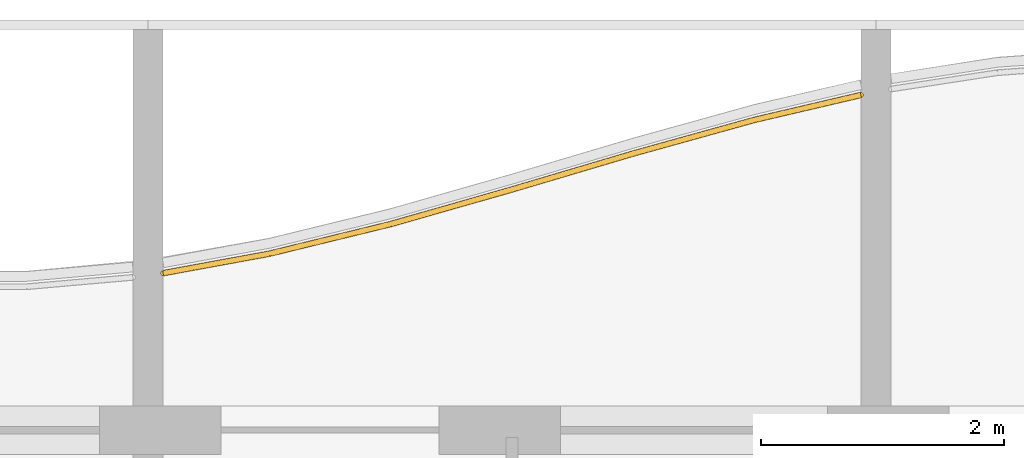
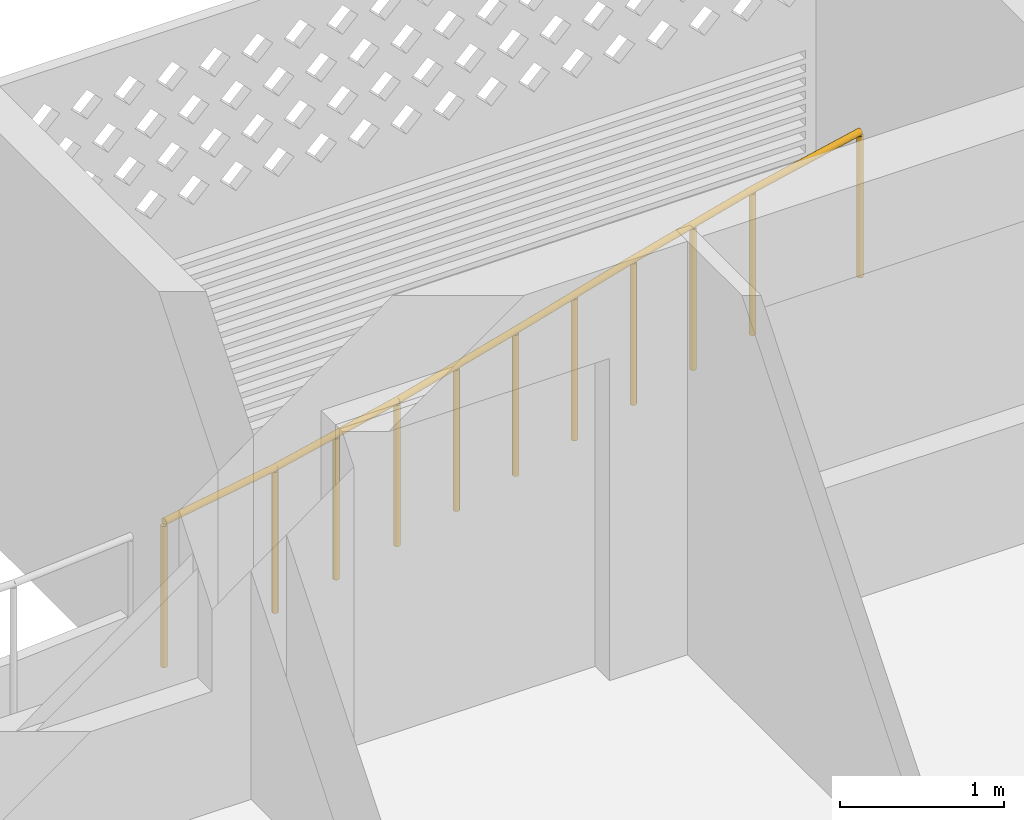
# One storey, part 23 of 28: 1 railing.
"""IFC4 building model written with IfcOpenShell, lengths in metres."""

from ifc_helpers import new_model, si_unit, direction, frame, origin, origin_2d, place, context, subcontext, project, spatial, circle, extrude, material, type_object, element, save


model = new_model("IFC4")

# Units and contexts
model_context = context("Model", 3, precision=1e-05, world=origin(), true_north=direction((0.0, 1.0)))
body_context = subcontext(model_context, "Body", "Model", "MODEL_VIEW")
ifc_project = project(units=[si_unit("LENGTHUNIT", "METRE"), si_unit("AREAUNIT", "SQUARE_METRE"), si_unit("VOLUMEUNIT", "CUBIC_METRE"), si_unit("PLANEANGLEUNIT", "RADIAN"), si_unit("MASSUNIT", "GRAM", prefix="KILO")], contexts=[model_context])

# Site, building, storey
site_placement = place(None, origin())
site = spatial("IfcSite", under=ifc_project, at=site_placement, CompositionType="ELEMENT")
building_placement = place(site_placement, origin())
building = spatial("IfcBuilding", under=site, at=building_placement, Name="Poui Terraces", CompositionType="ELEMENT")
storey_placement = place(building_placement, frame((0.0, 0.0, 181.800048828125)))
storey = spatial("IfcBuildingStorey", under=building, at=storey_placement, Name="L50", CompositionType="ELEMENT", Elevation=181.800048828125)

# Railing
ifc_material = material(Name="Painted steel fretwork", Category="steel")
railing_type = type_object("IfcRailingType", Name="BALCONY GUARD 1100", PredefinedType="GUARDRAIL", material=ifc_material)
railing_placement = place(storey_placement, frame((60.125, 42.493896484375, 0.0)))
element("IfcRailing", 1, at=railing_placement, inside=storey, type_object=railing_type, Name="BALCONY GUARD", PredefinedType="GUARDRAIL", context=body_context, shape_type="SweptSolid", body=[
    extrude(circle(Radius=0.02392578125, at=origin_2d()), frame((0.0, 0.0, 1.076171875), z_axis=(0.983609802465, 0.180310167472, 0.0), x_axis=(-0.180310167472, 0.983609802465, 0.0)), (0.0, 0.0, 1.0), 0.8896484375),
    extrude(circle(Radius=0.02392578125, at=origin_2d()), frame((0.875, 0.160400390625, 1.076171875), z_axis=(0.971467046504, 0.2371745719, 0.0), x_axis=(-0.2371745719, 0.971467046504, 0.0)), (0.0, 0.0, 1.0), 1.029296875),
    extrude(circle(Radius=0.02392578125, at=origin_2d()), frame((1.875, 0.404541015625, 1.076171875), z_axis=(0.961665574586, 0.274224949003, 0.0), x_axis=(-0.274224949003, 0.961665574586, 0.0)), (0.0, 0.0, 1.0), 1.039794921875),
    extrude(circle(Radius=0.02392578125, at=origin_2d()), frame((2.875, 0.689697265625, 1.076171875), z_axis=(0.958774495191, 0.284168026651, 0.0), x_axis=(-0.284168026651, 0.958774495191, 0.0)), (0.0, 0.0, 1.0), 1.04296875),
    extrude(circle(Radius=0.02392578125, at=origin_2d()), frame((3.875, 0.986083984375, 1.076171875), z_axis=(0.963565078544, 0.267473997633, 0.0), x_axis=(-0.267473997633, 0.963565078544, 0.0)), (0.0, 0.0, 1.0), 1.037841796875),
    extrude(circle(Radius=0.02392578125, at=origin_2d()), frame((4.875, 1.263671875, 1.076171875), z_axis=(0.973736897475, 0.227676205381, 0.0), x_axis=(-0.227676205381, 0.973736897475, 0.0)), (0.0, 0.0, 1.0), 0.898681640625),
    extrude(circle(Radius=0.02099609375, at=origin_2d()), origin(), (0.0, 0.0, 1.0), 1.052001953125),
    extrude(circle(Radius=0.02099609375, at=origin_2d()), frame((0.875, 0.160400390625, 0.0)), (0.0, 0.0, 1.0), 1.052001953125),
    extrude(circle(Radius=0.02099609375, at=origin_2d()), frame((1.375, 0.282470703125, 0.0)), (0.0, 0.0, 1.0), 1.052001953125),
    extrude(circle(Radius=0.02099609375, at=origin_2d()), frame((1.875, 0.404541015625, 0.0)), (0.0, 0.0, 1.0), 1.052001953125),
    extrude(circle(Radius=0.02099609375, at=origin_2d()), frame((2.375, 0.547119140625, 0.0)), (0.0, 0.0, 1.0), 1.052001953125),
    extrude(circle(Radius=0.02099609375, at=origin_2d()), frame((2.875, 0.689697265625, 0.0)), (0.0, 0.0, 1.0), 1.052001953125),
    extrude(circle(Radius=0.02099609375, at=origin_2d()), frame((3.375, 0.837890625, 0.0)), (0.0, 0.0, 1.0), 1.052001953125),
    extrude(circle(Radius=0.02099609375, at=origin_2d()), frame((3.875, 0.986083984375, 0.0)), (0.0, 0.0, 1.0), 1.052001953125),
    extrude(circle(Radius=0.02099609375, at=origin_2d()), frame((4.375, 1.125, 0.0)), (0.0, 0.0, 1.0), 1.052001953125),
    extrude(circle(Radius=0.02099609375, at=origin_2d()), frame((4.875, 1.263671875, 0.0)), (0.0, 0.0, 1.0), 1.052001953125),
    extrude(circle(Radius=0.02099609375, at=origin_2d()), frame((5.75, 1.46826171875, 0.0)), (0.0, 0.0, 1.0), 1.052001953125),
])

save(model, "model.ifc")
